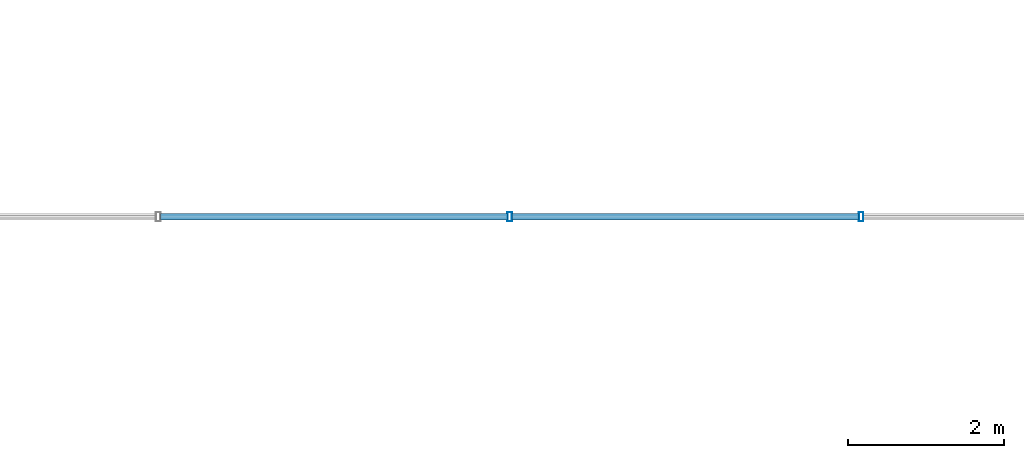
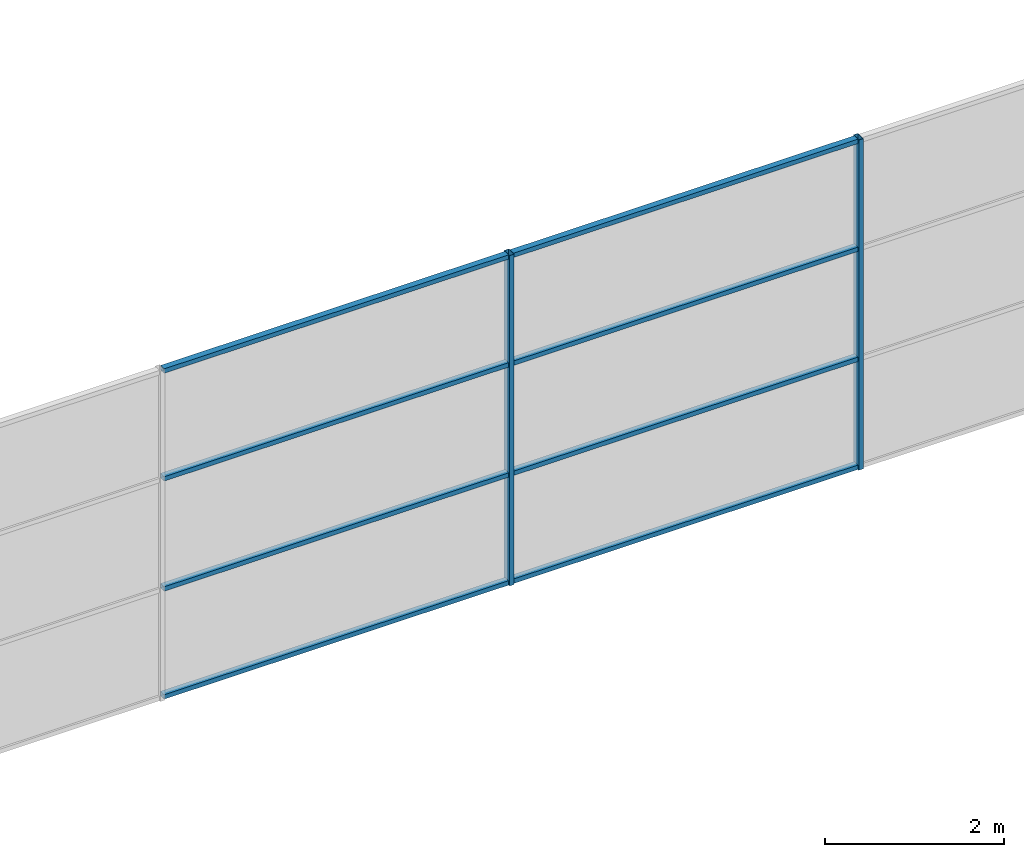
# One storey, part 24 of 111: 10 members, 1 element without a shape of its own.
"""IFC4 building model written with IfcOpenShell, lengths in metres."""

from ifc_helpers import new_model, si_unit, direction, frame, origin, origin_2d, place, context, subcontext, project, spatial, hollow_rectangle, extrude, material, material_profile, profile_set, type_object, element, aggregate, save


model = new_model("IFC4")

# Units and contexts
model_context = context("Model", 3, precision=1e-05, world=origin(), true_north=direction((0.0, 1.0)))
body_context = subcontext(model_context, "Body", "Model", "MODEL_VIEW")
ifc_project = project(units=[si_unit("LENGTHUNIT", "METRE"), si_unit("AREAUNIT", "SQUARE_METRE"), si_unit("VOLUMEUNIT", "CUBIC_METRE"), si_unit("PLANEANGLEUNIT", "RADIAN"), si_unit("MASSUNIT", "GRAM", prefix="KILO")], contexts=[model_context])

# Site, building, storey
site_placement = place(None, origin())
site = spatial("IfcSite", under=ifc_project, at=site_placement, CompositionType="ELEMENT")
building_placement = place(site_placement, origin())
building = spatial("IfcBuilding", under=site, at=building_placement, Name="Kallimachos Central Library", CompositionType="ELEMENT")
storey_placement = place(building_placement, frame((0.0, 0.0, 14.39990234375)))
storey = spatial("IfcBuildingStorey", under=building, at=storey_placement, Name="L03", CompositionType="ELEMENT", Elevation=14.39990234375)

# Curtain wall, members
ifc_material_1 = material(Name="Aluminium and laminated glass", Category="aluminium")
curtain_wall_type = type_object("IfcCurtainWallType", Name="Atrium glazed screen", PredefinedType="NOTDEFINED", material=ifc_material_1)
curtain_wall_placement = place(storey_placement, origin())
curtain_wall = element("IfcCurtainWall", 1, at=curtain_wall_placement, inside=storey, type_object=curtain_wall_type, Name="L03 atrium screen S", PredefinedType="NOTDEFINED")
ifc_material_2 = material(Name="Anodised aluminium", Category="aluminium")
ifc_material_profile_1 = material_profile(ifc_material_2, hollow_rectangle(XDim=0.06005859375, YDim=0.1201171875, WallThickness=0.00390625, at=origin_2d()), Name="ALU MULLION 60x120")
ifc_profile_set_1 = profile_set([ifc_material_profile_1], Name="Anodised aluminium")
member_type_1 = type_object("IfcMemberType", Name="Atrium screen mullion", PredefinedType="MULLION", material=ifc_profile_set_1)
member_1_placement = place(storey_placement, frame((88.0, 56.919921875, 0.0), z_axis=(0.0, 0.0, 1.0), x_axis=(1.0, 0.0, 0.0)))
member_1 = element("IfcMember", 2, at=member_1_placement, type_object=member_type_1, Name="CW mullion 4", PredefinedType="MULLION", context=body_context, shape_type="SweptSolid", body=[
    extrude(hollow_rectangle(XDim=0.06005859375, YDim=0.1201171875, WallThickness=0.00390625, at=origin_2d()), origin(), (0.0, 0.0, 1.0), 4.5),
])
member_2_placement = place(storey_placement, frame((92.5, 56.919921875, 0.0), z_axis=(0.0, 0.0, 1.0), x_axis=(1.0, 0.0, 0.0)))
member_2 = element("IfcMember", 3, at=member_2_placement, type_object=member_type_1, Name="CW mullion 5", PredefinedType="MULLION", context=body_context, shape_type="SweptSolid", body=[
    extrude(hollow_rectangle(XDim=0.06005859375, YDim=0.1201171875, WallThickness=0.00390625, at=origin_2d()), origin(), (0.0, 0.0, 1.0), 4.5),
])
ifc_material_3 = material(Name="Anodised aluminium", Category="aluminium")
ifc_material_profile_2 = material_profile(ifc_material_3, hollow_rectangle(XDim=0.06005859375, YDim=0.080078125, WallThickness=0.00390625, at=origin_2d()), Name="ALU TRANSOM 60x80")
ifc_profile_set_2 = profile_set([ifc_material_profile_2], Name="Anodised aluminium")
member_type_2 = type_object("IfcMemberType", Name="Atrium screen transom", PredefinedType="USERDEFINED", material=ifc_profile_set_2)
member_3_placement = place(storey_placement, frame((83.530029296875, 56.919921875, 0.030029296875), z_axis=(1.0, 0.0, 0.0), x_axis=(0.0, 0.0, 1.0)))
member_3 = element("IfcMember", 4, at=member_3_placement, type_object=member_type_2, Name="CW transom 3.1", ObjectType="TRANSOM", PredefinedType="USERDEFINED", context=body_context, shape_type="SweptSolid", body=[
    extrude(hollow_rectangle(XDim=0.06005859375, YDim=0.080078125, WallThickness=0.00390625, at=origin_2d()), origin(), (0.0, 0.0, 1.0), 4.43994140625),
])
member_4_placement = place(storey_placement, frame((83.530029296875, 56.919921875, 1.5), z_axis=(1.0, 0.0, 0.0), x_axis=(0.0, 0.0, 1.0)))
member_4 = element("IfcMember", 5, at=member_4_placement, type_object=member_type_2, Name="CW transom 3.2", ObjectType="TRANSOM", PredefinedType="USERDEFINED", context=body_context, shape_type="SweptSolid", body=[
    extrude(hollow_rectangle(XDim=0.06005859375, YDim=0.080078125, WallThickness=0.00390625, at=origin_2d()), origin(), (0.0, 0.0, 1.0), 4.43994140625),
])
member_5_placement = place(storey_placement, frame((83.530029296875, 56.919921875, 3.0), z_axis=(1.0, 0.0, 0.0), x_axis=(0.0, 0.0, 1.0)))
member_5 = element("IfcMember", 6, at=member_5_placement, type_object=member_type_2, Name="CW transom 3.3", ObjectType="TRANSOM", PredefinedType="USERDEFINED", context=body_context, shape_type="SweptSolid", body=[
    extrude(hollow_rectangle(XDim=0.06005859375, YDim=0.080078125, WallThickness=0.00390625, at=origin_2d()), origin(), (0.0, 0.0, 1.0), 4.43994140625),
])
member_6_placement = place(storey_placement, frame((83.530029296875, 56.919921875, 4.47021484375), z_axis=(1.0, 0.0, 0.0), x_axis=(0.0, 0.0, 1.0)))
member_6 = element("IfcMember", 7, at=member_6_placement, type_object=member_type_2, Name="CW transom 3.4", ObjectType="TRANSOM", PredefinedType="USERDEFINED", context=body_context, shape_type="SweptSolid", body=[
    extrude(hollow_rectangle(XDim=0.06005859375, YDim=0.080078125, WallThickness=0.00390625, at=origin_2d()), origin(), (0.0, 0.0, 1.0), 4.43994140625),
])
member_7_placement = place(storey_placement, frame((88.030029296875, 56.919921875, 0.030029296875), z_axis=(1.0, 0.0, 0.0), x_axis=(0.0, 0.0, 1.0)))
member_7 = element("IfcMember", 8, at=member_7_placement, type_object=member_type_2, Name="CW transom 4.1", ObjectType="TRANSOM", PredefinedType="USERDEFINED", context=body_context, shape_type="SweptSolid", body=[
    extrude(hollow_rectangle(XDim=0.06005859375, YDim=0.080078125, WallThickness=0.00390625, at=origin_2d()), origin(), (0.0, 0.0, 1.0), 4.43994140625),
])
member_8_placement = place(storey_placement, frame((88.030029296875, 56.919921875, 1.5), z_axis=(1.0, 0.0, 0.0), x_axis=(0.0, 0.0, 1.0)))
member_8 = element("IfcMember", 9, at=member_8_placement, type_object=member_type_2, Name="CW transom 4.2", ObjectType="TRANSOM", PredefinedType="USERDEFINED", context=body_context, shape_type="SweptSolid", body=[
    extrude(hollow_rectangle(XDim=0.06005859375, YDim=0.080078125, WallThickness=0.00390625, at=origin_2d()), origin(), (0.0, 0.0, 1.0), 4.43994140625),
])
member_9_placement = place(storey_placement, frame((88.030029296875, 56.919921875, 3.0), z_axis=(1.0, 0.0, 0.0), x_axis=(0.0, 0.0, 1.0)))
member_9 = element("IfcMember", 10, at=member_9_placement, type_object=member_type_2, Name="CW transom 4.3", ObjectType="TRANSOM", PredefinedType="USERDEFINED", context=body_context, shape_type="SweptSolid", body=[
    extrude(hollow_rectangle(XDim=0.06005859375, YDim=0.080078125, WallThickness=0.00390625, at=origin_2d()), origin(), (0.0, 0.0, 1.0), 4.43994140625),
])
member_10_placement = place(storey_placement, frame((88.030029296875, 56.919921875, 4.47021484375), z_axis=(1.0, 0.0, 0.0), x_axis=(0.0, 0.0, 1.0)))
member_10 = element("IfcMember", 11, at=member_10_placement, type_object=member_type_2, Name="CW transom 4.4", ObjectType="TRANSOM", PredefinedType="USERDEFINED", context=body_context, shape_type="SweptSolid", body=[
    extrude(hollow_rectangle(XDim=0.06005859375, YDim=0.080078125, WallThickness=0.00390625, at=origin_2d()), origin(), (0.0, 0.0, 1.0), 4.43994140625),
])
aggregate(curtain_wall, [member_1, member_2, member_3, member_4, member_5, member_6, member_7, member_8, member_9, member_10])

save(model, "model.ifc")
